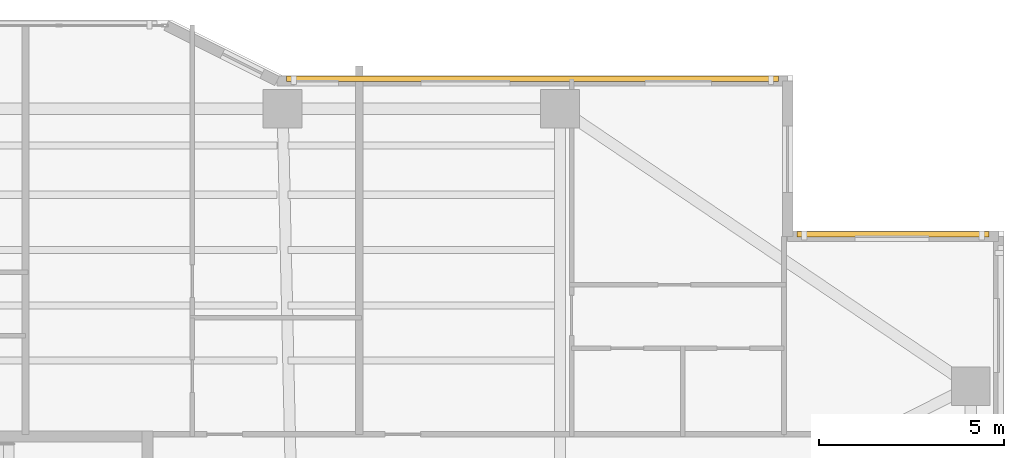
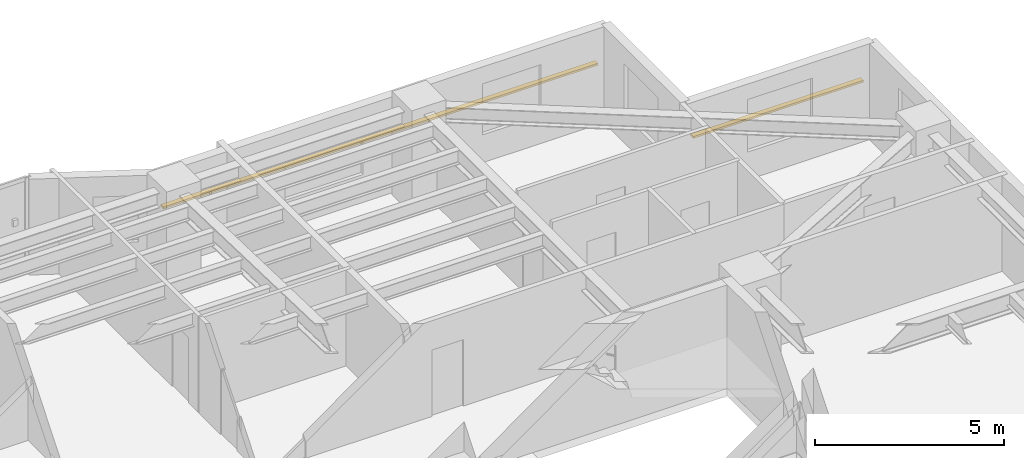
# One storey, part 18 of 18: 2 shading devices.
"""IFC4 building model written with IfcOpenShell, lengths in metres."""

from ifc_helpers import new_model, si_unit, direction, frame, origin, origin_2d, place, context, subcontext, project, spatial, rectangle, extrude, material, material_profile, profile_set, type_object, element, save


model = new_model("IFC4")

# Units and contexts
model_context = context("Model", 3, precision=1e-05, world=origin(), true_north=direction((0.0, 1.0)))
body_context = subcontext(model_context, "Body", "Model", "MODEL_VIEW")
ifc_project = project(units=[si_unit("LENGTHUNIT", "METRE"), si_unit("AREAUNIT", "SQUARE_METRE"), si_unit("VOLUMEUNIT", "CUBIC_METRE"), si_unit("PLANEANGLEUNIT", "RADIAN"), si_unit("MASSUNIT", "GRAM", prefix="KILO")], contexts=[model_context])

# Site, building, storey
site_placement = place(None, origin())
site = spatial("IfcSite", under=ifc_project, at=site_placement, CompositionType="ELEMENT")
building_placement = place(site_placement, origin())
building = spatial("IfcBuilding", under=site, at=building_placement, Name="Tarnavaz Court Tower", CompositionType="ELEMENT")
storey_placement = place(building_placement, frame((0.0, 0.0, 98.39990234375)))
storey = spatial("IfcBuildingStorey", under=building, at=storey_placement, Name="L26", CompositionType="ELEMENT", Elevation=98.39990234375)

# Shading devices
ifc_material = material(Name="Kiln-Fired Khorasan Terracotta Ceramic", Category="masonry")
ifc_material_profile = material_profile(ifc_material, rectangle(XDim=0.14990234375, YDim=0.06494140625, at=origin_2d()), Name="TC BAGUETTE 150X65")
ifc_profile_set = profile_set([ifc_material_profile], Name="Kiln-Fired Khorasan Terracotta Ceramic")
shading_device_type = type_object("IfcShadingDeviceType", Name="SD-BAG-150", PredefinedType="USERDEFINED", material=ifc_profile_set)
shading_device_1_placement = place(storey_placement, frame((7.60009765625, 22.110107421875, 1.85009765625), z_axis=(1.0, 0.0, 0.0), x_axis=(0.0, 1.0, 0.0)))
element("IfcShadingDevice", 1, at=shading_device_1_placement, inside=storey, type_object=shading_device_type, Name="L26 Terracotta Baguette Screen FBG09", ObjectType="BAGUETTE", PredefinedType="USERDEFINED", context=body_context, shape_type="SweptSolid", body=[
    extrude(rectangle(XDim=0.14990234375, YDim=0.06494140625, at=origin_2d()), origin(), (0.0, 0.0, 1.0), 13.2998046875),
])
shading_device_2_placement = place(storey_placement, frame((21.39990234375, 17.909912109375, 1.85009765625), z_axis=(1.0, 0.0, 0.0), x_axis=(0.0, 1.0, 0.0)))
element("IfcShadingDevice", 2, at=shading_device_2_placement, inside=storey, type_object=shading_device_type, Name="L26 Terracotta Baguette Screen FBG11", ObjectType="BAGUETTE", PredefinedType="USERDEFINED", context=body_context, shape_type="SweptSolid", body=[
    extrude(rectangle(XDim=0.14990234375, YDim=0.06494140625, at=origin_2d()), origin(), (0.0, 0.0, 1.0), 5.2001953125),
])

save(model, "model.ifc")
